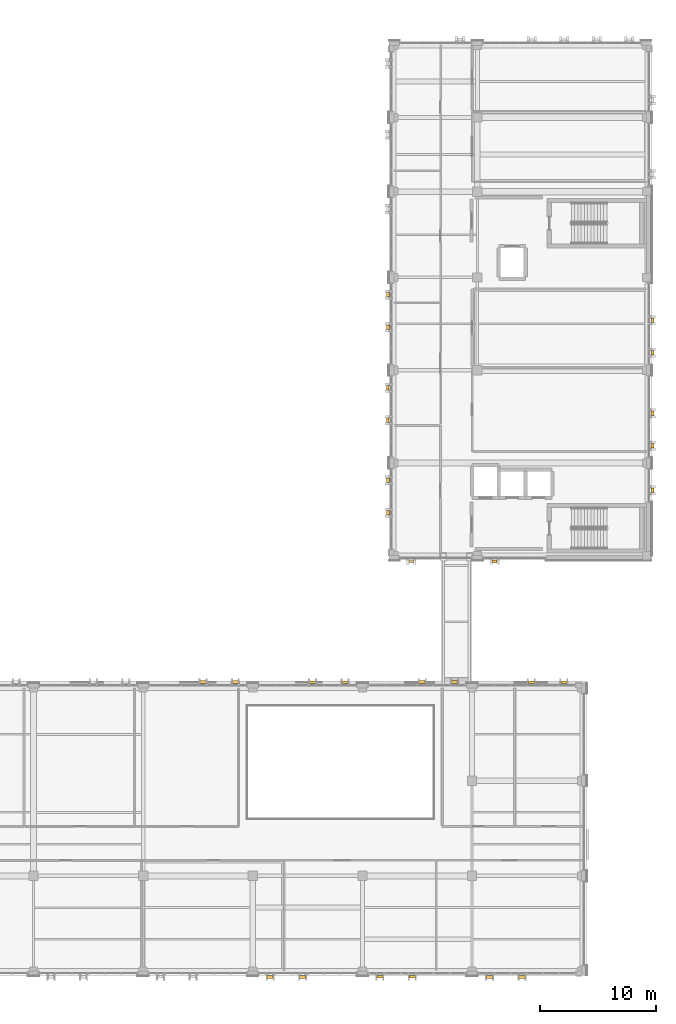
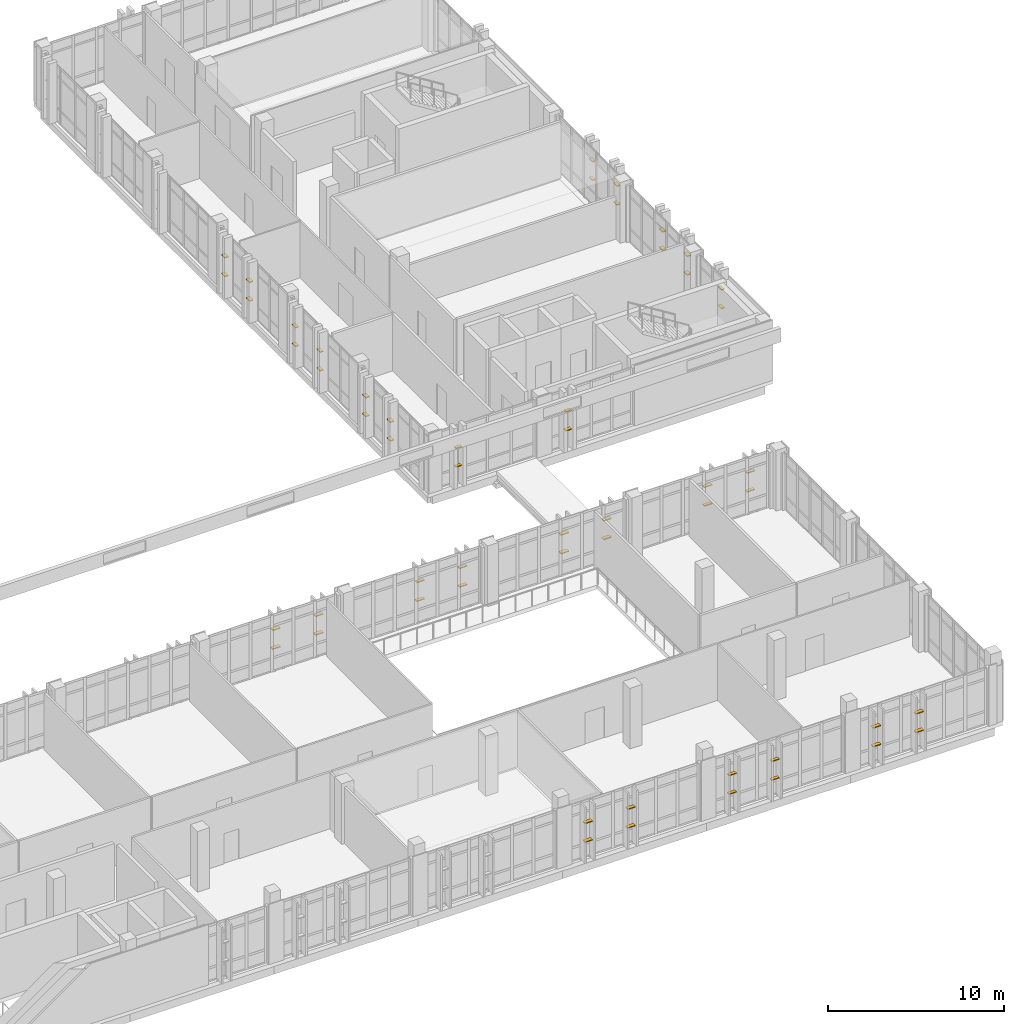
# One storey, part 156 of 158: 54 shading devices.
"""IFC4 building model written with IfcOpenShell, lengths in metres."""

from ifc_helpers import new_model, si_unit, direction, frame, origin, origin_2d, place, context, subcontext, project, spatial, rectangle, extrude, material, type_object, element, save


model = new_model("IFC4")

# Units and contexts
model_context = context("Model", 3, precision=1e-05, world=origin(), true_north=direction((0.0, 1.0)))
body_context = subcontext(model_context, "Body", "Model", "MODEL_VIEW")
ifc_project = project(units=[si_unit("LENGTHUNIT", "METRE"), si_unit("AREAUNIT", "SQUARE_METRE"), si_unit("VOLUMEUNIT", "CUBIC_METRE"), si_unit("PLANEANGLEUNIT", "RADIAN"), si_unit("MASSUNIT", "GRAM", prefix="KILO")], contexts=[model_context])

# Site, building, storey
site_placement = place(None, origin())
site = spatial("IfcSite", under=ifc_project, at=site_placement, CompositionType="ELEMENT")
building_placement = place(site_placement, origin())
building = spatial("IfcBuilding", under=site, at=building_placement, Name="Qalavern Law Courts", CompositionType="ELEMENT")
storey_placement = place(building_placement, frame((0.0, 0.0, 18.60009765625)))
storey = spatial("IfcBuildingStorey", under=building, at=storey_placement, Name="L04", CompositionType="ELEMENT", Elevation=18.60009765625)

# Shading devices
ifc_material = material(Name="Anodised aluminium", Category="aluminium")
shading_device_type_1 = type_object("IfcShadingDeviceType", Name="ENV-LOUV-1", PredefinedType="JALOUSIE", material=ifc_material)
for number, where, z_axis, x_axis, name in (
    (1, (83.391357421875, 5.090087890625, 1.343505859375), (0.0, 0.0, 1.0), (1.0, 0.0, 0.0), "Horizontal sun louvre V2-L04-0-1"),
    (2, (83.391357421875, 5.090087890625, 2.638916015625), (0.0, 0.0, 1.0), (1.0, 0.0, 0.0), "Horizontal sun louvre V2-L04-0-2"),
    (3, (86.19140625, 5.090087890625, 1.343505859375), (0.0, 0.0, 1.0), (1.0, 0.0, 0.0), "Horizontal sun louvre V2-L04-1-1"),
    (4, (86.19140625, 5.090087890625, 2.638916015625), (0.0, 0.0, 1.0), (1.0, 0.0, 0.0), "Horizontal sun louvre V2-L04-1-2"),
    (5, (99.2548828125, 30.510009765625, 1.343505859375), (0.0, 0.0, 1.0), (-1.0, 0.0, 0.0), "Horizontal sun louvre V2-L04-0-1"),
    (6, (99.2548828125, 30.510009765625, 2.638916015625), (0.0, 0.0, 1.0), (-1.0, 0.0, 0.0), "Horizontal sun louvre V2-L04-0-2"),
    (7, (96.455078125, 30.510009765625, 1.343505859375), (0.0, 0.0, 1.0), (-1.0, 0.0, 0.0), "Horizontal sun louvre V2-L04-1-1"),
    (8, (96.455078125, 30.510009765625, 2.638916015625), (0.0, 0.0, 1.0), (-1.0, 0.0, 0.0), "Horizontal sun louvre V2-L04-1-2"),
    (9, (80.391357421875, 30.510009765625, 1.343505859375), (0.0, 0.0, 1.0), (-1.0, 0.0, 0.0), "Horizontal sun louvre V2-L04-0-1"),
    (10, (80.391357421875, 30.510009765625, 2.638916015625), (0.0, 0.0, 1.0), (-1.0, 0.0, 0.0), "Horizontal sun louvre V2-L04-0-2"),
    (11, (77.59130859375, 30.510009765625, 1.343505859375), (0.0, 0.0, 1.0), (-1.0, 0.0, 0.0), "Horizontal sun louvre V2-L04-1-1"),
    (12, (77.59130859375, 30.510009765625, 2.638916015625), (0.0, 0.0, 1.0), (-1.0, 0.0, 0.0), "Horizontal sun louvre V2-L04-1-2"),
):
    element("IfcShadingDevice", number, at=place(storey_placement, frame(where, z_axis=z_axis, x_axis=x_axis)), inside=storey, type_object=shading_device_type_1, Name=name, PredefinedType="JALOUSIE", context=body_context, shape_type="SweptSolid", body=[
        extrude(rectangle(XDim=0.514892578125, YDim=0.2099609375, at=origin_2d()), origin(), (0.0, 0.0, 1.0), 0.06005859375),
    ])
for number, where, z_axis, x_axis, name in (
    (13, (86.10009765625, 40.909912109375, 1.343505859375), (0.0, 0.0, 1.0), (1.0, 0.0, 0.0), "Horizontal sun louvre V4-L04-0-1"),
    (14, (86.10009765625, 40.909912109375, 2.638916015625), (0.0, 0.0, 1.0), (1.0, 0.0, 0.0), "Horizontal sun louvre V4-L04-0-2"),
    (15, (106.909912109375, 47.050048828125, 1.343505859375), (0.0, 0.0, 1.0), (0.0, 1.0, 0.0), "Horizontal sun louvre V4-L04-0-1"),
    (16, (106.909912109375, 47.050048828125, 2.638916015625), (0.0, 0.0, 1.0), (0.0, 1.0, 0.0), "Horizontal sun louvre V4-L04-0-2"),
    (17, (106.909912109375, 58.89990234375, 1.343505859375), (0.0, 0.0, 1.0), (0.0, 1.0, 0.0), "Horizontal sun louvre V4-L04-0-1"),
    (18, (106.909912109375, 58.89990234375, 2.638916015625), (0.0, 0.0, 1.0), (0.0, 1.0, 0.0), "Horizontal sun louvre V4-L04-0-2"),
    (19, (106.909912109375, 61.699951171875, 1.343505859375), (0.0, 0.0, 1.0), (0.0, 1.0, 0.0), "Horizontal sun louvre V4-L04-1-1"),
    (20, (106.909912109375, 61.699951171875, 2.638916015625), (0.0, 0.0, 1.0), (0.0, 1.0, 0.0), "Horizontal sun louvre V4-L04-1-2"),
    (21, (84.090087890625, 55.89990234375, 1.343505859375), (0.0, 0.0, 1.0), (0.0, -1.0, 0.0), "Horizontal sun louvre V4-L04-0-1"),
    (22, (84.090087890625, 55.89990234375, 2.638916015625), (0.0, 0.0, 1.0), (0.0, -1.0, 0.0), "Horizontal sun louvre V4-L04-0-2"),
    (23, (84.090087890625, 53.10009765625, 1.343505859375), (0.0, 0.0, 1.0), (0.0, -1.0, 0.0), "Horizontal sun louvre V4-L04-1-1"),
    (24, (84.090087890625, 53.10009765625, 2.638916015625), (0.0, 0.0, 1.0), (0.0, -1.0, 0.0), "Horizontal sun louvre V4-L04-1-2"),
):
    element("IfcShadingDevice", number, at=place(storey_placement, frame(where, z_axis=z_axis, x_axis=x_axis)), inside=storey, type_object=shading_device_type_1, Name=name, PredefinedType="JALOUSIE", context=body_context, shape_type="SweptSolid", body=[
        extrude(rectangle(XDim=0.389892578125, YDim=0.2099609375, at=origin_2d()), origin(), (0.0, 0.0, 1.0), 0.06005859375),
    ])
shading_device_type_2 = type_object("IfcShadingDeviceType", Name="ENV-LOUV-2", PredefinedType="JALOUSIE", material=ifc_material)
for number, where, z_axis, x_axis, name in (
    (25, (73.93701171875, 5.090087890625, 1.343505859375), (0.0, 0.0, 1.0), (1.0, 0.0, 0.0), "Horizontal sun louvre V2-L04-0-1"),
    (26, (73.93701171875, 5.090087890625, 2.638916015625), (0.0, 0.0, 1.0), (1.0, 0.0, 0.0), "Horizontal sun louvre V2-L04-0-2"),
    (27, (76.737060546875, 5.090087890625, 1.343505859375), (0.0, 0.0, 1.0), (1.0, 0.0, 0.0), "Horizontal sun louvre V2-L04-1-1"),
    (28, (76.737060546875, 5.090087890625, 2.638916015625), (0.0, 0.0, 1.0), (1.0, 0.0, 0.0), "Horizontal sun louvre V2-L04-1-2"),
    (29, (92.845703125, 5.090087890625, 1.343505859375), (0.0, 0.0, 1.0), (1.0, 0.0, 0.0), "Horizontal sun louvre V2-L04-0-1"),
    (30, (92.845703125, 5.090087890625, 2.638916015625), (0.0, 0.0, 1.0), (1.0, 0.0, 0.0), "Horizontal sun louvre V2-L04-0-2"),
    (31, (95.645751953125, 5.090087890625, 1.343505859375), (0.0, 0.0, 1.0), (1.0, 0.0, 0.0), "Horizontal sun louvre V2-L04-1-1"),
    (32, (95.645751953125, 5.090087890625, 2.638916015625), (0.0, 0.0, 1.0), (1.0, 0.0, 0.0), "Horizontal sun louvre V2-L04-1-2"),
    (33, (89.845703125, 30.510009765625, 1.343505859375), (0.0, 0.0, 1.0), (-1.0, 0.0, 0.0), "Horizontal sun louvre V2-L04-0-1"),
    (34, (89.845703125, 30.510009765625, 2.638916015625), (0.0, 0.0, 1.0), (-1.0, 0.0, 0.0), "Horizontal sun louvre V2-L04-0-2"),
    (35, (87.045654296875, 30.510009765625, 1.343505859375), (0.0, 0.0, 1.0), (-1.0, 0.0, 0.0), "Horizontal sun louvre V2-L04-1-1"),
    (36, (87.045654296875, 30.510009765625, 2.638916015625), (0.0, 0.0, 1.0), (-1.0, 0.0, 0.0), "Horizontal sun louvre V2-L04-1-2"),
    (37, (70.93701171875, 30.510009765625, 1.343505859375), (0.0, 0.0, 1.0), (-1.0, 0.0, 0.0), "Horizontal sun louvre V2-L04-0-1"),
    (38, (70.93701171875, 30.510009765625, 2.638916015625), (0.0, 0.0, 1.0), (-1.0, 0.0, 0.0), "Horizontal sun louvre V2-L04-0-2"),
    (39, (68.13720703125, 30.510009765625, 1.343505859375), (0.0, 0.0, 1.0), (-1.0, 0.0, 0.0), "Horizontal sun louvre V2-L04-1-1"),
    (40, (68.13720703125, 30.510009765625, 2.638916015625), (0.0, 0.0, 1.0), (-1.0, 0.0, 0.0), "Horizontal sun louvre V2-L04-1-2"),
):
    element("IfcShadingDevice", number, at=place(storey_placement, frame(where, z_axis=z_axis, x_axis=x_axis)), inside=storey, type_object=shading_device_type_2, Name=name, PredefinedType="JALOUSIE", context=body_context, shape_type="SweptSolid", body=[
        extrude(rectangle(XDim=0.514892578125, YDim=0.25, at=origin_2d()), origin(), (0.0, 0.0, 1.0), 0.06005859375),
    ])
for number, where, z_axis, x_axis, name in (
    (41, (93.300048828125, 40.909912109375, 1.343505859375), (0.0, 0.0, 1.0), (1.0, 0.0, 0.0), "Horizontal sun louvre V4-L04-0-1"),
    (42, (93.300048828125, 40.909912109375, 2.638916015625), (0.0, 0.0, 1.0), (1.0, 0.0, 0.0), "Horizontal sun louvre V4-L04-0-2"),
    (43, (106.909912109375, 50.89990234375, 1.343505859375), (0.0, 0.0, 1.0), (0.0, 1.0, 0.0), "Horizontal sun louvre V4-L04-0-1"),
    (44, (106.909912109375, 50.89990234375, 2.638916015625), (0.0, 0.0, 1.0), (0.0, 1.0, 0.0), "Horizontal sun louvre V4-L04-0-2"),
    (45, (106.909912109375, 53.699951171875, 1.343505859375), (0.0, 0.0, 1.0), (0.0, 1.0, 0.0), "Horizontal sun louvre V4-L04-1-1"),
    (46, (106.909912109375, 53.699951171875, 2.638916015625), (0.0, 0.0, 1.0), (0.0, 1.0, 0.0), "Horizontal sun louvre V4-L04-1-2"),
    (47, (84.090087890625, 63.89990234375, 1.343505859375), (0.0, 0.0, 1.0), (0.0, -1.0, 0.0), "Horizontal sun louvre V4-L04-0-1"),
    (48, (84.090087890625, 63.89990234375, 2.638916015625), (0.0, 0.0, 1.0), (0.0, -1.0, 0.0), "Horizontal sun louvre V4-L04-0-2"),
    (49, (84.090087890625, 61.10009765625, 1.343505859375), (0.0, 0.0, 1.0), (0.0, -1.0, 0.0), "Horizontal sun louvre V4-L04-1-1"),
    (50, (84.090087890625, 61.10009765625, 2.638916015625), (0.0, 0.0, 1.0), (0.0, -1.0, 0.0), "Horizontal sun louvre V4-L04-1-2"),
    (51, (84.090087890625, 47.89990234375, 1.343505859375), (0.0, 0.0, 1.0), (0.0, -1.0, 0.0), "Horizontal sun louvre V4-L04-0-1"),
    (52, (84.090087890625, 47.89990234375, 2.638916015625), (0.0, 0.0, 1.0), (0.0, -1.0, 0.0), "Horizontal sun louvre V4-L04-0-2"),
    (53, (84.090087890625, 45.10009765625, 1.343505859375), (0.0, 0.0, 1.0), (0.0, -1.0, 0.0), "Horizontal sun louvre V4-L04-1-1"),
    (54, (84.090087890625, 45.10009765625, 2.638916015625), (0.0, 0.0, 1.0), (0.0, -1.0, 0.0), "Horizontal sun louvre V4-L04-1-2"),
):
    element("IfcShadingDevice", number, at=place(storey_placement, frame(where, z_axis=z_axis, x_axis=x_axis)), inside=storey, type_object=shading_device_type_2, Name=name, PredefinedType="JALOUSIE", context=body_context, shape_type="SweptSolid", body=[
        extrude(rectangle(XDim=0.389892578125, YDim=0.25, at=origin_2d()), origin(), (0.0, 0.0, 1.0), 0.06005859375),
    ])

save(model, "model.ifc")
